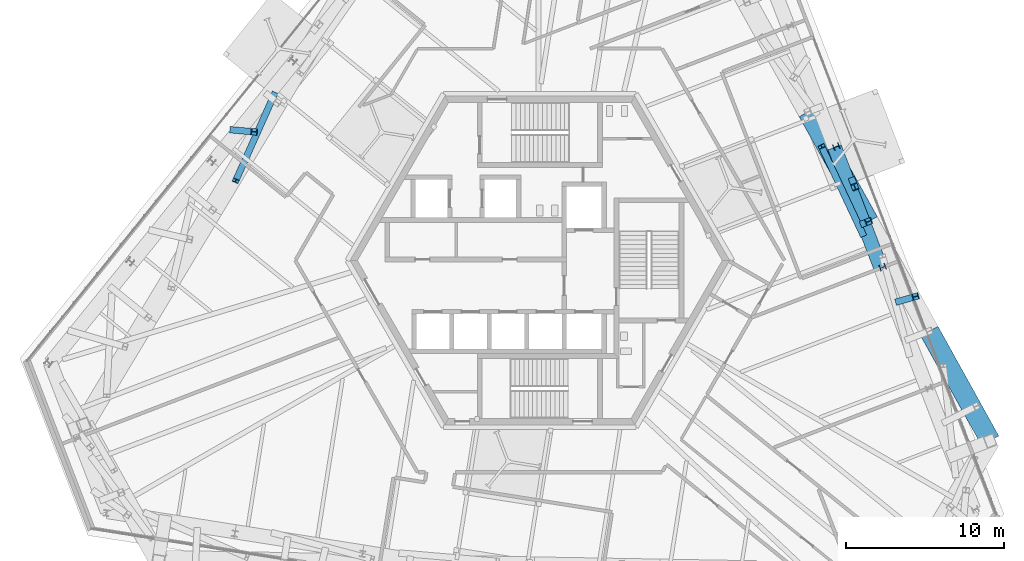
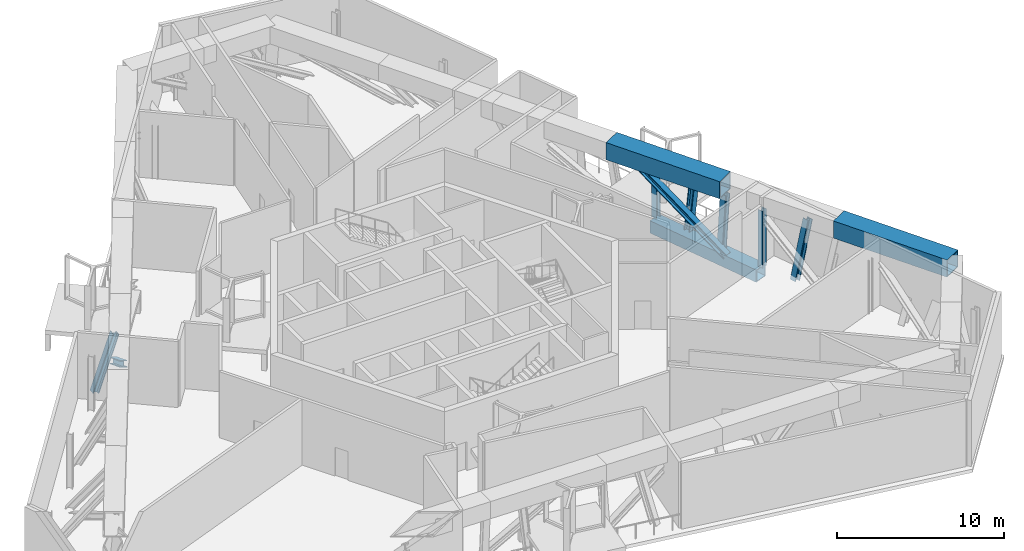
# One storey, part 4 of 14: 11 members.
"""IFC4 building model written with IfcOpenShell, lengths in metres."""

from ifc_helpers import new_model, si_unit, direction, frame, origin, origin_2d, place, context, subcontext, project, spatial, hollow_rectangle, i_section, extrude, source, transform, mapped, material, material_profile, profile_set, type_object, element, save


model = new_model("IFC4")

# Units and contexts
model_context = context("Model", 3, precision=1e-05, world=origin(), true_north=direction((0.0, 1.0)))
body_context = subcontext(model_context, "Body", "Model", "MODEL_VIEW")
ifc_project = project(units=[si_unit("LENGTHUNIT", "METRE"), si_unit("AREAUNIT", "SQUARE_METRE"), si_unit("VOLUMEUNIT", "CUBIC_METRE"), si_unit("PLANEANGLEUNIT", "RADIAN"), si_unit("MASSUNIT", "GRAM", prefix="KILO")], contexts=[model_context])

# Site, building, storey
site_placement = place(None, origin())
site = spatial("IfcSite", under=ifc_project, at=site_placement, CompositionType="ELEMENT")
building_placement = place(site_placement, origin())
building = spatial("IfcBuilding", under=site, at=building_placement, Name="Triune Harvest Tower", CompositionType="ELEMENT")
storey_placement = place(building_placement, frame((0.0, 0.0, 174.925048828125)))
storey = spatial("IfcBuildingStorey", under=building, at=storey_placement, Name="L45", CompositionType="ELEMENT", Elevation=174.925048828125)

# Members
ifc_material_1 = material(Name="Steel ASTM A992 Gr 50", Category="steel")
ifc_material_profile_1 = material_profile(ifc_material_1, i_section(OverallWidth=0.411376953125, OverallDepth=0.434326171875, WebThickness=0.035888671875, FlangeThickness=0.057373046875, at=origin_2d()), Name="W14x311")
ifc_profile_set_1 = profile_set([ifc_material_profile_1], Name="Steel ASTM A992 Gr 50")
member_type_1 = type_object("IfcMemberType", Name="TD-2 Belt truss diagonal W14x311", PredefinedType="BRACE", material=ifc_profile_set_1)
member_1_placement = place(storey_placement, frame((-16.77685546875, 10.525390625, -0.324951171875), z_axis=(-0.341858547984, -0.764576261375, 0.546402666275), x_axis=(0.912902230998, -0.408178290259, 0.0)))
element("IfcMember", 1, at=member_1_placement, inside=storey, type_object=member_type_1, Name="truss/L45/TD23", PredefinedType="BRACE", context=body_context, shape_type="SweptSolid", body=[
    extrude(i_section(OverallWidth=0.411376953125, OverallDepth=0.434326171875, WebThickness=0.035888671875, FlangeThickness=0.057373046875, at=origin_2d()), origin(), (0.0, 0.0, 1.0), 7.18310546875),
])
ifc_material_2 = material(Name="Steel ASTM A992 Gr 50", Category="steel")
ifc_material_profile_2 = material_profile(ifc_material_2, i_section(OverallWidth=0.373291015625, OverallDepth=0.373291015625, WebThickness=0.016357421875, FlangeThickness=0.026123046875, at=origin_2d()), Name="W14x132")
ifc_profile_set_2 = profile_set([ifc_material_profile_2], Name="Steel ASTM A992 Gr 50")
member_type_2 = type_object("IfcMemberType", Name="WP-4 Roof edge post W14x132", PredefinedType="POST", material=ifc_profile_set_2)
shared_shape_1 = source(origin(), body_context, "Body", "SweptSolid", [
    extrude(i_section(OverallWidth=0.373291015625, OverallDepth=0.373291015625, WebThickness=0.016357421875, FlangeThickness=0.026123046875, at=origin_2d()), origin(), (0.0, 0.0, 1.0), 4.150634765625),
])
for number, where, z_axis, x_axis, name in (
    (2, (21.677734375, -0.435302734375, -0.25), (0.0, 0.0, 1.0), (-0.358367949545, 0.933580426497, 0.0), "post/L45/W2"),
    (3, (18.748046875, 7.19677734375, -0.25), (0.0, 0.0, 1.0), (-0.358367949545, 0.933580426497, 0.0), "post/L45/W3"),
):
    element("IfcMember", number, at=place(storey_placement, frame(where, z_axis=z_axis, x_axis=x_axis)), inside=storey, type_object=member_type_2, Name=name, PredefinedType="POST", context=body_context, shape_type="MappedRepresentation", body=[
        mapped(shared_shape_1, transform((0.0, 0.0, 0.0), scale=1.0)),
    ])
ifc_material_3 = material(Name="Steel ASTM A572 Gr 50", Category="steel")
ifc_material_profile_3 = material_profile(ifc_material_3, hollow_rectangle(XDim=0.89990234375, YDim=0.89990234375, WallThickness=0.050048828125, at=origin_2d()), Name="Box 900x900x50")
ifc_profile_set_3 = profile_set([ifc_material_profile_3], Name="Steel ASTM A572 Gr 50")
member_type_3 = type_object("IfcMemberType", Name="TC-2 Belt truss chord Box 900x900x50", PredefinedType="CHORD", material=ifc_profile_set_3)
shared_shape_2 = source(origin(), body_context, "Body", "SweptSolid", [
    extrude(hollow_rectangle(XDim=0.89990234375, YDim=0.89990234375, WallThickness=0.050048828125, at=origin_2d()), origin(), (0.0, 0.0, 1.0), 8.175048828125),
])
member_2_placement = place(storey_placement, frame((21.565673828125, -0.478271484375, -0.699951171875), z_axis=(-0.358368636722, 0.933580162714, 0.0), x_axis=(-0.933580162714, -0.358368636722, 0.0)))
element("IfcMember", 4, at=member_2_placement, inside=storey, type_object=member_type_3, Name="truss/L45/TCB3", PredefinedType="CHORD", context=body_context, shape_type="MappedRepresentation", body=[
    mapped(shared_shape_2, transform((0.0, 0.0, 0.0), scale=1.0)),
])
ifc_material_4 = material(Name="Steel ASTM A572 Gr 50", Category="steel")
ifc_material_profile_4 = material_profile(ifc_material_4, hollow_rectangle(XDim=1.25, YDim=1.25, WallThickness=0.070068359375, at=origin_2d()), Name="Box 1250x1250x70")
ifc_profile_set_4 = profile_set([ifc_material_profile_4], Name="Steel ASTM A572 Gr 50")
member_type_4 = type_object("IfcMemberType", Name="TC-1 Belt truss chord Box 1250x1250x70", PredefinedType="CHORD", material=ifc_profile_set_4)
shared_shape_3 = source(origin(), body_context, "Body", "SweptSolid", [
    extrude(hollow_rectangle(XDim=1.25, YDim=1.25, WallThickness=0.070068359375, at=origin_2d()), origin(), (0.0, 0.0, 1.0), 7.92724609375),
])
for number, where, z_axis, x_axis, name in (
    (5, (28.475341796875, -11.40673828125, 4.18994140625), (-0.48481379599, 0.874617392474, 0.0), (-0.874617392474, -0.48481379599, 0.0), "truss/L45/TCT1"),
    (6, (20.788818359375, 2.459716796875, 4.18994140625), (-0.484790236765, 0.874630451298, 0.0), (-0.874630451298, -0.484790236765, 0.0), "truss/L45/TCT3"),
):
    element("IfcMember", number, at=place(storey_placement, frame(where, z_axis=z_axis, x_axis=x_axis)), inside=storey, type_object=member_type_4, Name=name, PredefinedType="CHORD", context=body_context, shape_type="MappedRepresentation", body=[
        mapped(shared_shape_3, transform((0.0, 0.0, 0.0), scale=1.0)),
    ])
ifc_material_5 = material(Name="Steel ASTM A992 Gr 50", Category="steel")
ifc_material_profile_5 = material_profile(ifc_material_5, i_section(OverallWidth=0.411376953125, OverallDepth=0.434326171875, WebThickness=0.035888671875, FlangeThickness=0.057373046875, at=origin_2d()), Name="W14x311")
ifc_profile_set_5 = profile_set([ifc_material_profile_5], Name="Steel ASTM A992 Gr 50")
member_type_5 = type_object("IfcMemberType", Name="TV-1 Belt truss strut W14x311", PredefinedType="STRUT", material=ifc_profile_set_5)
shared_shape_4 = source(origin(), body_context, "Body", "SweptSolid", [
    extrude(i_section(OverallWidth=0.411376953125, OverallDepth=0.434326171875, WebThickness=0.035888671875, FlangeThickness=0.057373046875, at=origin_2d()), origin(), (0.0, 0.0, 1.0), 3.888916015625),
])
member_3_placement = place(storey_placement, frame((20.48291015625, 2.34228515625, -0.275146484375), z_axis=(0.078663310315, 0.030197168605, 0.996443783973), x_axis=(-0.358379874881, 0.933575848702, 0.0)))
element("IfcMember", 7, at=member_3_placement, inside=storey, type_object=member_type_5, Name="truss/L45/TS3", PredefinedType="STRUT", context=body_context, shape_type="MappedRepresentation", body=[
    mapped(shared_shape_4, transform((0.0, 0.0, 0.0), scale=1.0)),
])
shared_shape_5 = source(origin(), body_context, "Body", "SweptSolid", [
    extrude(i_section(OverallWidth=0.411376953125, OverallDepth=0.434326171875, WebThickness=0.035888671875, FlangeThickness=0.057373046875, at=origin_2d()), origin(), (0.0, 0.0, 1.0), 4.0771484375),
])
member_4_placement = place(storey_placement, frame((22.697998046875, -2.591064453125, -0.324951171875), z_axis=(0.260296281562, 0.074849402336, 0.962623193558), x_axis=(-0.276355923417, 0.961055359276, 0.0)))
element("IfcMember", 8, at=member_4_placement, inside=storey, type_object=member_type_1, Name="truss/L45/TD4", PredefinedType="BRACE", context=body_context, shape_type="MappedRepresentation", body=[
    mapped(shared_shape_5, transform((0.0, 0.0, 0.0), scale=1.0)),
])
shared_shape_6 = source(origin(), body_context, "Body", "SweptSolid", [
    extrude(i_section(OverallWidth=0.411376953125, OverallDepth=0.434326171875, WebThickness=0.035888671875, FlangeThickness=0.057373046875, at=origin_2d()), origin(), (0.0, 0.0, 1.0), 7.299072265625),
])
member_5_placement = place(storey_placement, frame((20.433349609375, 1.634521484375, -0.324951171875), z_axis=(-0.358226310153, 0.76324614112, 0.537707391412), x_axis=(-0.905251579818, -0.424875955118, 0.0)))
element("IfcMember", 9, at=member_5_placement, inside=storey, type_object=member_type_1, Name="truss/L45/TD5", PredefinedType="BRACE", context=body_context, shape_type="MappedRepresentation", body=[
    mapped(shared_shape_6, transform((0.0, 0.0, 0.0), scale=1.0)),
])
shared_shape_7 = source(origin(), body_context, "Body", "SweptSolid", [
    extrude(i_section(OverallWidth=0.411376953125, OverallDepth=0.434326171875, WebThickness=0.035888671875, FlangeThickness=0.057373046875, at=origin_2d()), origin(), (0.0, 0.0, 1.0), 3.947265625),
])
member_6_placement = place(storey_placement, frame((19.768310546875, 5.041015625, -0.324951171875), z_axis=(0.037419497922, -0.099764710988, 0.994307187753), x_axis=(0.936305320293, 0.351187054419, 0.0)))
element("IfcMember", 10, at=member_6_placement, inside=storey, type_object=member_type_1, Name="truss/L45/TD6", PredefinedType="BRACE", context=body_context, shape_type="MappedRepresentation", body=[
    mapped(shared_shape_7, transform((0.0, 0.0, 0.0), scale=1.0)),
])
shared_shape_8 = source(origin(), body_context, "Body", "SweptSolid", [
    extrude(i_section(OverallWidth=0.411376953125, OverallDepth=0.434326171875, WebThickness=0.035888671875, FlangeThickness=0.057373046875, at=origin_2d()), origin(), (0.0, 0.0, 1.0), 4.1455078125),
])
member_7_placement = place(storey_placement, frame((-19.39453125, 8.24609375, -0.324951171875), z_axis=(0.320621407787, -0.028210443485, 0.946787243127), x_axis=(0.087648156872, 0.996151494802, 0.0)))
element("IfcMember", 11, at=member_7_placement, inside=storey, type_object=member_type_1, Name="truss/L45/TD24", PredefinedType="BRACE", context=body_context, shape_type="MappedRepresentation", body=[
    mapped(shared_shape_8, transform((0.0, 0.0, 0.0), scale=1.0)),
])

save(model, "model.ifc")
